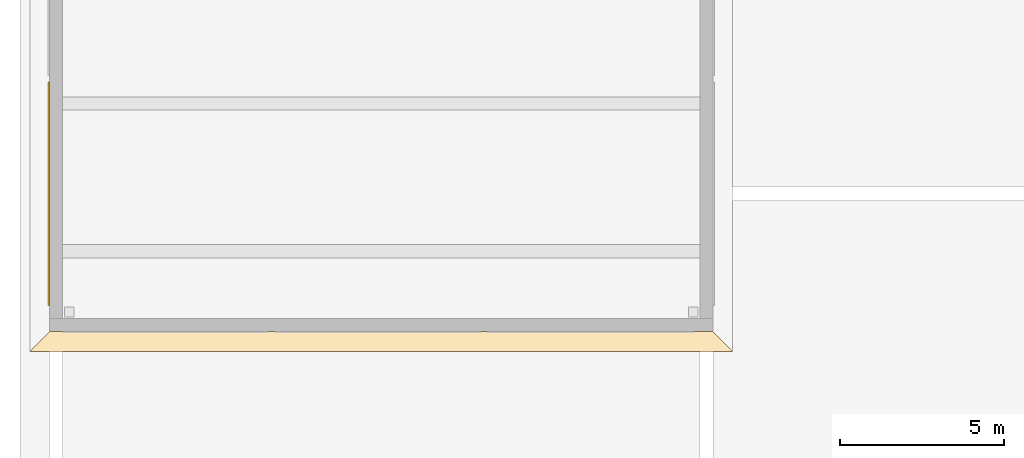
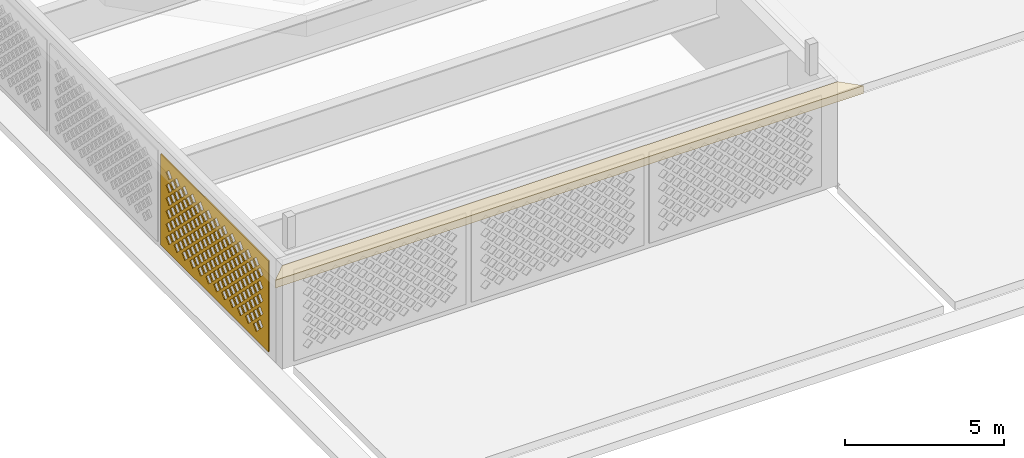
# One storey, part 19 of 63: 2 coverings.
"""IFC4 building model written with IfcOpenShell, lengths in metres."""

from ifc_helpers import new_model, si_unit, direction, frame, origin, place, context, subcontext, project, spatial, polyline, outline, extrude, material, layer, layer_set, type_object, element, save


model = new_model("IFC4")

# Units and contexts
model_context = context("Model", 3, precision=1e-05, world=origin(), true_north=direction((0.0, 1.0)))
body_context = subcontext(model_context, "Body", "Model", "MODEL_VIEW")
ifc_project = project(units=[si_unit("LENGTHUNIT", "METRE"), si_unit("AREAUNIT", "SQUARE_METRE"), si_unit("VOLUMEUNIT", "CUBIC_METRE"), si_unit("PLANEANGLEUNIT", "RADIAN"), si_unit("MASSUNIT", "GRAM", prefix="KILO")], contexts=[model_context])

# Site, building, storey
site_placement = place(None, origin())
site = spatial("IfcSite", under=ifc_project, at=site_placement, CompositionType="ELEMENT")
building_placement = place(site_placement, origin())
building = spatial("IfcBuilding", under=site, at=building_placement, Name="Noorbagh Ring Tower", CompositionType="ELEMENT")
storey_placement = place(building_placement, frame((0.0, 0.0, 25.0)))
storey = spatial("IfcBuildingStorey", under=building, at=storey_placement, Name="L04", CompositionType="ELEMENT", Elevation=25.0)

# Coverings
ifc_material_1 = material(Name="Red sandstone jali", Category="masonry")
ifc_layer = layer(ifc_material_1, 0.0400390625)
ifc_layer_set = layer_set([ifc_layer], Name="Red sandstone jali")
covering_type_1 = type_object("IfcCoveringType", Name="STH-BAND", PredefinedType="USERDEFINED", material=ifc_layer_set)
covering_1_placement = place(storey_placement, frame((-160.0400390625, -5.60009765625, 0.199951171875), z_axis=(-1.0, 0.0, 0.0), x_axis=(0.0, -1.0, 0.0)))
element("IfcCovering", 1, at=covering_1_placement, inside=storey, type_object=covering_type_1, Name="Jali band of the stage house", ObjectType="JALI SCREEN", PredefinedType="USERDEFINED", context=body_context, shape_type="SweptSolid", body=[
    extrude(outline(polyline([(0.0, 0.0), (6.7998046875, 0.0), (6.7998046875, 3.5), (0.0, 3.5), (0.0, 0.0)]), holes=[polyline([(0.344970703125, 0.5), (0.52490234375, 0.320068359375), (0.705078125, 0.5), (0.52490234375, 0.679931640625), (0.344970703125, 0.5)]), polyline([(0.844970703125, 0.5), (1.02490234375, 0.320068359375), (1.205078125, 0.5), (1.02490234375, 0.679931640625), (0.844970703125, 0.5)]), polyline([(1.344970703125, 0.5), (1.52490234375, 0.320068359375), (1.705078125, 0.5), (1.52490234375, 0.679931640625), (1.344970703125, 0.5)]), polyline([(1.844970703125, 0.5), (2.02490234375, 0.320068359375), (2.205078125, 0.5), (2.02490234375, 0.679931640625), (1.844970703125, 0.5)]), polyline([(2.344970703125, 0.5), (2.52490234375, 0.320068359375), (2.705078125, 0.5), (2.52490234375, 0.679931640625), (2.344970703125, 0.5)]), polyline([(2.844970703125, 0.5), (3.02490234375, 0.320068359375), (3.205078125, 0.5), (3.02490234375, 0.679931640625), (2.844970703125, 0.5)]), polyline([(3.344970703125, 0.5), (3.52490234375, 0.320068359375), (3.705078125, 0.5), (3.52490234375, 0.679931640625), (3.344970703125, 0.5)]), polyline([(3.844970703125, 0.5), (4.02490234375, 0.320068359375), (4.205078125, 0.5), (4.02490234375, 0.679931640625), (3.844970703125, 0.5)]), polyline([(4.344970703125, 0.5), (4.52490234375, 0.320068359375), (4.705078125, 0.5), (4.52490234375, 0.679931640625), (4.344970703125, 0.5)]), polyline([(4.844970703125, 0.5), (5.02490234375, 0.320068359375), (5.205078125, 0.5), (5.02490234375, 0.679931640625), (4.844970703125, 0.5)]), polyline([(5.344970703125, 0.5), (5.52490234375, 0.320068359375), (5.705078125, 0.5), (5.52490234375, 0.679931640625), (5.344970703125, 0.5)]), polyline([(5.844970703125, 0.5), (6.02490234375, 0.320068359375), (6.205078125, 0.5), (6.02490234375, 0.679931640625), (5.844970703125, 0.5)]), polyline([(0.594970703125, 0.75), (0.77490234375, 0.570068359375), (0.955078125, 0.75), (0.77490234375, 0.929931640625), (0.594970703125, 0.75)]), polyline([(1.094970703125, 0.75), (1.27490234375, 0.570068359375), (1.455078125, 0.75), (1.27490234375, 0.929931640625), (1.094970703125, 0.75)]), polyline([(1.594970703125, 0.75), (1.77490234375, 0.570068359375), (1.955078125, 0.75), (1.77490234375, 0.929931640625), (1.594970703125, 0.75)]), polyline([(2.094970703125, 0.75), (2.27490234375, 0.570068359375), (2.455078125, 0.75), (2.27490234375, 0.929931640625), (2.094970703125, 0.75)]), polyline([(2.594970703125, 0.75), (2.77490234375, 0.570068359375), (2.955078125, 0.75), (2.77490234375, 0.929931640625), (2.594970703125, 0.75)]), polyline([(3.094970703125, 0.75), (3.27490234375, 0.570068359375), (3.455078125, 0.75), (3.27490234375, 0.929931640625), (3.094970703125, 0.75)]), polyline([(3.594970703125, 0.75), (3.77490234375, 0.570068359375), (3.955078125, 0.75), (3.77490234375, 0.929931640625), (3.594970703125, 0.75)]), polyline([(4.094970703125, 0.75), (4.27490234375, 0.570068359375), (4.455078125, 0.75), (4.27490234375, 0.929931640625), (4.094970703125, 0.75)]), polyline([(4.594970703125, 0.75), (4.77490234375, 0.570068359375), (4.955078125, 0.75), (4.77490234375, 0.929931640625), (4.594970703125, 0.75)]), polyline([(5.094970703125, 0.75), (5.27490234375, 0.570068359375), (5.455078125, 0.75), (5.27490234375, 0.929931640625), (5.094970703125, 0.75)]), polyline([(5.594970703125, 0.75), (5.77490234375, 0.570068359375), (5.955078125, 0.75), (5.77490234375, 0.929931640625), (5.594970703125, 0.75)]), polyline([(6.094970703125, 0.75), (6.27490234375, 0.570068359375), (6.455078125, 0.75), (6.27490234375, 0.929931640625), (6.094970703125, 0.75)]), polyline([(0.344970703125, 1.0), (0.52490234375, 0.820068359375), (0.705078125, 1.0), (0.52490234375, 1.179931640625), (0.344970703125, 1.0)]), polyline([(0.844970703125, 1.0), (1.02490234375, 0.820068359375), (1.205078125, 1.0), (1.02490234375, 1.179931640625), (0.844970703125, 1.0)]), polyline([(1.344970703125, 1.0), (1.52490234375, 0.820068359375), (1.705078125, 1.0), (1.52490234375, 1.179931640625), (1.344970703125, 1.0)]), polyline([(1.844970703125, 1.0), (2.02490234375, 0.820068359375), (2.205078125, 1.0), (2.02490234375, 1.179931640625), (1.844970703125, 1.0)]), polyline([(2.344970703125, 1.0), (2.52490234375, 0.820068359375), (2.705078125, 1.0), (2.52490234375, 1.179931640625), (2.344970703125, 1.0)]), polyline([(2.844970703125, 1.0), (3.02490234375, 0.820068359375), (3.205078125, 1.0), (3.02490234375, 1.179931640625), (2.844970703125, 1.0)]), polyline([(3.344970703125, 1.0), (3.52490234375, 0.820068359375), (3.705078125, 1.0), (3.52490234375, 1.179931640625), (3.344970703125, 1.0)]), polyline([(3.844970703125, 1.0), (4.02490234375, 0.820068359375), (4.205078125, 1.0), (4.02490234375, 1.179931640625), (3.844970703125, 1.0)]), polyline([(4.344970703125, 1.0), (4.52490234375, 0.820068359375), (4.705078125, 1.0), (4.52490234375, 1.179931640625), (4.344970703125, 1.0)]), polyline([(4.844970703125, 1.0), (5.02490234375, 0.820068359375), (5.205078125, 1.0), (5.02490234375, 1.179931640625), (4.844970703125, 1.0)]), polyline([(5.344970703125, 1.0), (5.52490234375, 0.820068359375), (5.705078125, 1.0), (5.52490234375, 1.179931640625), (5.344970703125, 1.0)]), polyline([(5.844970703125, 1.0), (6.02490234375, 0.820068359375), (6.205078125, 1.0), (6.02490234375, 1.179931640625), (5.844970703125, 1.0)]), polyline([(0.594970703125, 1.25), (0.77490234375, 1.070068359375), (0.955078125, 1.25), (0.77490234375, 1.429931640625), (0.594970703125, 1.25)]), polyline([(1.094970703125, 1.25), (1.27490234375, 1.070068359375), (1.455078125, 1.25), (1.27490234375, 1.429931640625), (1.094970703125, 1.25)]), polyline([(1.594970703125, 1.25), (1.77490234375, 1.070068359375), (1.955078125, 1.25), (1.77490234375, 1.429931640625), (1.594970703125, 1.25)]), polyline([(2.094970703125, 1.25), (2.27490234375, 1.070068359375), (2.455078125, 1.25), (2.27490234375, 1.429931640625), (2.094970703125, 1.25)]), polyline([(2.594970703125, 1.25), (2.77490234375, 1.070068359375), (2.955078125, 1.25), (2.77490234375, 1.429931640625), (2.594970703125, 1.25)]), polyline([(3.094970703125, 1.25), (3.27490234375, 1.070068359375), (3.455078125, 1.25), (3.27490234375, 1.429931640625), (3.094970703125, 1.25)]), polyline([(3.594970703125, 1.25), (3.77490234375, 1.070068359375), (3.955078125, 1.25), (3.77490234375, 1.429931640625), (3.594970703125, 1.25)]), polyline([(4.094970703125, 1.25), (4.27490234375, 1.070068359375), (4.455078125, 1.25), (4.27490234375, 1.429931640625), (4.094970703125, 1.25)]), polyline([(4.594970703125, 1.25), (4.77490234375, 1.070068359375), (4.955078125, 1.25), (4.77490234375, 1.429931640625), (4.594970703125, 1.25)]), polyline([(5.094970703125, 1.25), (5.27490234375, 1.070068359375), (5.455078125, 1.25), (5.27490234375, 1.429931640625), (5.094970703125, 1.25)]), polyline([(5.594970703125, 1.25), (5.77490234375, 1.070068359375), (5.955078125, 1.25), (5.77490234375, 1.429931640625), (5.594970703125, 1.25)]), polyline([(6.094970703125, 1.25), (6.27490234375, 1.070068359375), (6.455078125, 1.25), (6.27490234375, 1.429931640625), (6.094970703125, 1.25)]), polyline([(0.344970703125, 1.5), (0.52490234375, 1.320068359375), (0.705078125, 1.5), (0.52490234375, 1.679931640625), (0.344970703125, 1.5)]), polyline([(0.844970703125, 1.5), (1.02490234375, 1.320068359375), (1.205078125, 1.5), (1.02490234375, 1.679931640625), (0.844970703125, 1.5)]), polyline([(1.344970703125, 1.5), (1.52490234375, 1.320068359375), (1.705078125, 1.5), (1.52490234375, 1.679931640625), (1.344970703125, 1.5)]), polyline([(1.844970703125, 1.5), (2.02490234375, 1.320068359375), (2.205078125, 1.5), (2.02490234375, 1.679931640625), (1.844970703125, 1.5)]), polyline([(2.344970703125, 1.5), (2.52490234375, 1.320068359375), (2.705078125, 1.5), (2.52490234375, 1.679931640625), (2.344970703125, 1.5)]), polyline([(2.844970703125, 1.5), (3.02490234375, 1.320068359375), (3.205078125, 1.5), (3.02490234375, 1.679931640625), (2.844970703125, 1.5)]), polyline([(3.344970703125, 1.5), (3.52490234375, 1.320068359375), (3.705078125, 1.5), (3.52490234375, 1.679931640625), (3.344970703125, 1.5)]), polyline([(3.844970703125, 1.5), (4.02490234375, 1.320068359375), (4.205078125, 1.5), (4.02490234375, 1.679931640625), (3.844970703125, 1.5)]), polyline([(4.344970703125, 1.5), (4.52490234375, 1.320068359375), (4.705078125, 1.5), (4.52490234375, 1.679931640625), (4.344970703125, 1.5)]), polyline([(4.844970703125, 1.5), (5.02490234375, 1.320068359375), (5.205078125, 1.5), (5.02490234375, 1.679931640625), (4.844970703125, 1.5)]), polyline([(5.344970703125, 1.5), (5.52490234375, 1.320068359375), (5.705078125, 1.5), (5.52490234375, 1.679931640625), (5.344970703125, 1.5)]), polyline([(5.844970703125, 1.5), (6.02490234375, 1.320068359375), (6.205078125, 1.5), (6.02490234375, 1.679931640625), (5.844970703125, 1.5)]), polyline([(0.594970703125, 1.75), (0.77490234375, 1.570068359375), (0.955078125, 1.75), (0.77490234375, 1.929931640625), (0.594970703125, 1.75)]), polyline([(1.094970703125, 1.75), (1.27490234375, 1.570068359375), (1.455078125, 1.75), (1.27490234375, 1.929931640625), (1.094970703125, 1.75)]), polyline([(1.594970703125, 1.75), (1.77490234375, 1.570068359375), (1.955078125, 1.75), (1.77490234375, 1.929931640625), (1.594970703125, 1.75)]), polyline([(2.094970703125, 1.75), (2.27490234375, 1.570068359375), (2.455078125, 1.75), (2.27490234375, 1.929931640625), (2.094970703125, 1.75)]), polyline([(2.594970703125, 1.75), (2.77490234375, 1.570068359375), (2.955078125, 1.75), (2.77490234375, 1.929931640625), (2.594970703125, 1.75)]), polyline([(3.094970703125, 1.75), (3.27490234375, 1.570068359375), (3.455078125, 1.75), (3.27490234375, 1.929931640625), (3.094970703125, 1.75)]), polyline([(3.594970703125, 1.75), (3.77490234375, 1.570068359375), (3.955078125, 1.75), (3.77490234375, 1.929931640625), (3.594970703125, 1.75)]), polyline([(4.094970703125, 1.75), (4.27490234375, 1.570068359375), (4.455078125, 1.75), (4.27490234375, 1.929931640625), (4.094970703125, 1.75)]), polyline([(4.594970703125, 1.75), (4.77490234375, 1.570068359375), (4.955078125, 1.75), (4.77490234375, 1.929931640625), (4.594970703125, 1.75)]), polyline([(5.094970703125, 1.75), (5.27490234375, 1.570068359375), (5.455078125, 1.75), (5.27490234375, 1.929931640625), (5.094970703125, 1.75)]), polyline([(5.594970703125, 1.75), (5.77490234375, 1.570068359375), (5.955078125, 1.75), (5.77490234375, 1.929931640625), (5.594970703125, 1.75)]), polyline([(6.094970703125, 1.75), (6.27490234375, 1.570068359375), (6.455078125, 1.75), (6.27490234375, 1.929931640625), (6.094970703125, 1.75)]), polyline([(0.344970703125, 2.0), (0.52490234375, 1.820068359375), (0.705078125, 2.0), (0.52490234375, 2.179931640625), (0.344970703125, 2.0)]), polyline([(0.844970703125, 2.0), (1.02490234375, 1.820068359375), (1.205078125, 2.0), (1.02490234375, 2.179931640625), (0.844970703125, 2.0)]), polyline([(1.344970703125, 2.0), (1.52490234375, 1.820068359375), (1.705078125, 2.0), (1.52490234375, 2.179931640625), (1.344970703125, 2.0)]), polyline([(1.844970703125, 2.0), (2.02490234375, 1.820068359375), (2.205078125, 2.0), (2.02490234375, 2.179931640625), (1.844970703125, 2.0)]), polyline([(2.344970703125, 2.0), (2.52490234375, 1.820068359375), (2.705078125, 2.0), (2.52490234375, 2.179931640625), (2.344970703125, 2.0)]), polyline([(2.844970703125, 2.0), (3.02490234375, 1.820068359375), (3.205078125, 2.0), (3.02490234375, 2.179931640625), (2.844970703125, 2.0)]), polyline([(3.344970703125, 2.0), (3.52490234375, 1.820068359375), (3.705078125, 2.0), (3.52490234375, 2.179931640625), (3.344970703125, 2.0)]), polyline([(3.844970703125, 2.0), (4.02490234375, 1.820068359375), (4.205078125, 2.0), (4.02490234375, 2.179931640625), (3.844970703125, 2.0)]), polyline([(4.344970703125, 2.0), (4.52490234375, 1.820068359375), (4.705078125, 2.0), (4.52490234375, 2.179931640625), (4.344970703125, 2.0)]), polyline([(4.844970703125, 2.0), (5.02490234375, 1.820068359375), (5.205078125, 2.0), (5.02490234375, 2.179931640625), (4.844970703125, 2.0)]), polyline([(5.344970703125, 2.0), (5.52490234375, 1.820068359375), (5.705078125, 2.0), (5.52490234375, 2.179931640625), (5.344970703125, 2.0)]), polyline([(5.844970703125, 2.0), (6.02490234375, 1.820068359375), (6.205078125, 2.0), (6.02490234375, 2.179931640625), (5.844970703125, 2.0)]), polyline([(0.594970703125, 2.25), (0.77490234375, 2.070068359375), (0.955078125, 2.25), (0.77490234375, 2.429931640625), (0.594970703125, 2.25)]), polyline([(1.094970703125, 2.25), (1.27490234375, 2.070068359375), (1.455078125, 2.25), (1.27490234375, 2.429931640625), (1.094970703125, 2.25)]), polyline([(1.594970703125, 2.25), (1.77490234375, 2.070068359375), (1.955078125, 2.25), (1.77490234375, 2.429931640625), (1.594970703125, 2.25)]), polyline([(2.094970703125, 2.25), (2.27490234375, 2.070068359375), (2.455078125, 2.25), (2.27490234375, 2.429931640625), (2.094970703125, 2.25)]), polyline([(2.594970703125, 2.25), (2.77490234375, 2.070068359375), (2.955078125, 2.25), (2.77490234375, 2.429931640625), (2.594970703125, 2.25)]), polyline([(3.094970703125, 2.25), (3.27490234375, 2.070068359375), (3.455078125, 2.25), (3.27490234375, 2.429931640625), (3.094970703125, 2.25)]), polyline([(3.594970703125, 2.25), (3.77490234375, 2.070068359375), (3.955078125, 2.25), (3.77490234375, 2.429931640625), (3.594970703125, 2.25)]), polyline([(4.094970703125, 2.25), (4.27490234375, 2.070068359375), (4.455078125, 2.25), (4.27490234375, 2.429931640625), (4.094970703125, 2.25)]), polyline([(4.594970703125, 2.25), (4.77490234375, 2.070068359375), (4.955078125, 2.25), (4.77490234375, 2.429931640625), (4.594970703125, 2.25)]), polyline([(5.094970703125, 2.25), (5.27490234375, 2.070068359375), (5.455078125, 2.25), (5.27490234375, 2.429931640625), (5.094970703125, 2.25)]), polyline([(5.594970703125, 2.25), (5.77490234375, 2.070068359375), (5.955078125, 2.25), (5.77490234375, 2.429931640625), (5.594970703125, 2.25)]), polyline([(6.094970703125, 2.25), (6.27490234375, 2.070068359375), (6.455078125, 2.25), (6.27490234375, 2.429931640625), (6.094970703125, 2.25)]), polyline([(0.344970703125, 2.5), (0.52490234375, 2.320068359375), (0.705078125, 2.5), (0.52490234375, 2.679931640625), (0.344970703125, 2.5)]), polyline([(0.844970703125, 2.5), (1.02490234375, 2.320068359375), (1.205078125, 2.5), (1.02490234375, 2.679931640625), (0.844970703125, 2.5)]), polyline([(1.344970703125, 2.5), (1.52490234375, 2.320068359375), (1.705078125, 2.5), (1.52490234375, 2.679931640625), (1.344970703125, 2.5)]), polyline([(1.844970703125, 2.5), (2.02490234375, 2.320068359375), (2.205078125, 2.5), (2.02490234375, 2.679931640625), (1.844970703125, 2.5)]), polyline([(2.344970703125, 2.5), (2.52490234375, 2.320068359375), (2.705078125, 2.5), (2.52490234375, 2.679931640625), (2.344970703125, 2.5)]), polyline([(2.844970703125, 2.5), (3.02490234375, 2.320068359375), (3.205078125, 2.5), (3.02490234375, 2.679931640625), (2.844970703125, 2.5)]), polyline([(3.344970703125, 2.5), (3.52490234375, 2.320068359375), (3.705078125, 2.5), (3.52490234375, 2.679931640625), (3.344970703125, 2.5)]), polyline([(3.844970703125, 2.5), (4.02490234375, 2.320068359375), (4.205078125, 2.5), (4.02490234375, 2.679931640625), (3.844970703125, 2.5)]), polyline([(4.344970703125, 2.5), (4.52490234375, 2.320068359375), (4.705078125, 2.5), (4.52490234375, 2.679931640625), (4.344970703125, 2.5)]), polyline([(4.844970703125, 2.5), (5.02490234375, 2.320068359375), (5.205078125, 2.5), (5.02490234375, 2.679931640625), (4.844970703125, 2.5)]), polyline([(5.344970703125, 2.5), (5.52490234375, 2.320068359375), (5.705078125, 2.5), (5.52490234375, 2.679931640625), (5.344970703125, 2.5)]), polyline([(5.844970703125, 2.5), (6.02490234375, 2.320068359375), (6.205078125, 2.5), (6.02490234375, 2.679931640625), (5.844970703125, 2.5)]), polyline([(0.594970703125, 2.75), (0.77490234375, 2.570068359375), (0.955078125, 2.75), (0.77490234375, 2.929931640625), (0.594970703125, 2.75)]), polyline([(1.094970703125, 2.75), (1.27490234375, 2.570068359375), (1.455078125, 2.75), (1.27490234375, 2.929931640625), (1.094970703125, 2.75)]), polyline([(1.594970703125, 2.75), (1.77490234375, 2.570068359375), (1.955078125, 2.75), (1.77490234375, 2.929931640625), (1.594970703125, 2.75)]), polyline([(2.094970703125, 2.75), (2.27490234375, 2.570068359375), (2.455078125, 2.75), (2.27490234375, 2.929931640625), (2.094970703125, 2.75)]), polyline([(2.594970703125, 2.75), (2.77490234375, 2.570068359375), (2.955078125, 2.75), (2.77490234375, 2.929931640625), (2.594970703125, 2.75)]), polyline([(3.094970703125, 2.75), (3.27490234375, 2.570068359375), (3.455078125, 2.75), (3.27490234375, 2.929931640625), (3.094970703125, 2.75)]), polyline([(3.594970703125, 2.75), (3.77490234375, 2.570068359375), (3.955078125, 2.75), (3.77490234375, 2.929931640625), (3.594970703125, 2.75)]), polyline([(4.094970703125, 2.75), (4.27490234375, 2.570068359375), (4.455078125, 2.75), (4.27490234375, 2.929931640625), (4.094970703125, 2.75)]), polyline([(4.594970703125, 2.75), (4.77490234375, 2.570068359375), (4.955078125, 2.75), (4.77490234375, 2.929931640625), (4.594970703125, 2.75)]), polyline([(5.094970703125, 2.75), (5.27490234375, 2.570068359375), (5.455078125, 2.75), (5.27490234375, 2.929931640625), (5.094970703125, 2.75)]), polyline([(5.594970703125, 2.75), (5.77490234375, 2.570068359375), (5.955078125, 2.75), (5.77490234375, 2.929931640625), (5.594970703125, 2.75)]), polyline([(6.094970703125, 2.75), (6.27490234375, 2.570068359375), (6.455078125, 2.75), (6.27490234375, 2.929931640625), (6.094970703125, 2.75)]), polyline([(0.344970703125, 3.0), (0.52490234375, 2.820068359375), (0.705078125, 3.0), (0.52490234375, 3.179931640625), (0.344970703125, 3.0)]), polyline([(0.844970703125, 3.0), (1.02490234375, 2.820068359375), (1.205078125, 3.0), (1.02490234375, 3.179931640625), (0.844970703125, 3.0)]), polyline([(1.344970703125, 3.0), (1.52490234375, 2.820068359375), (1.705078125, 3.0), (1.52490234375, 3.179931640625), (1.344970703125, 3.0)]), polyline([(1.844970703125, 3.0), (2.02490234375, 2.820068359375), (2.205078125, 3.0), (2.02490234375, 3.179931640625), (1.844970703125, 3.0)]), polyline([(2.344970703125, 3.0), (2.52490234375, 2.820068359375), (2.705078125, 3.0), (2.52490234375, 3.179931640625), (2.344970703125, 3.0)]), polyline([(2.844970703125, 3.0), (3.02490234375, 2.820068359375), (3.205078125, 3.0), (3.02490234375, 3.179931640625), (2.844970703125, 3.0)]), polyline([(3.344970703125, 3.0), (3.52490234375, 2.820068359375), (3.705078125, 3.0), (3.52490234375, 3.179931640625), (3.344970703125, 3.0)]), polyline([(3.844970703125, 3.0), (4.02490234375, 2.820068359375), (4.205078125, 3.0), (4.02490234375, 3.179931640625), (3.844970703125, 3.0)]), polyline([(4.344970703125, 3.0), (4.52490234375, 2.820068359375), (4.705078125, 3.0), (4.52490234375, 3.179931640625), (4.344970703125, 3.0)]), polyline([(4.844970703125, 3.0), (5.02490234375, 2.820068359375), (5.205078125, 3.0), (5.02490234375, 3.179931640625), (4.844970703125, 3.0)]), polyline([(5.344970703125, 3.0), (5.52490234375, 2.820068359375), (5.705078125, 3.0), (5.52490234375, 3.179931640625), (5.344970703125, 3.0)]), polyline([(5.844970703125, 3.0), (6.02490234375, 2.820068359375), (6.205078125, 3.0), (6.02490234375, 3.179931640625), (5.844970703125, 3.0)])]), origin(), (0.0, 0.0, -1.0), 0.0400390625),
])
ifc_material_2 = material(Name="Red sandstone eave", Category="masonry")
covering_type_2 = type_object("IfcCoveringType", Name="STH-CHHAJJA", PredefinedType="USERDEFINED", material=ifc_material_2)
covering_2_placement = place(storey_placement, frame((0.0, 0.0, 3.699951171875)))
element("IfcCovering", 2, at=covering_2_placement, inside=storey, type_object=covering_type_2, Name="Cornice of the stage house", ObjectType="CHHAJJA", PredefinedType="USERDEFINED", context=body_context, shape_type="SweptSolid", body=[
    extrude(outline(polyline([(-160.0, -13.199951171875), (-139.800048828125, -13.199951171875), (-139.199951171875, -13.800048828125), (-160.60009765625, -13.800048828125), (-160.0, -13.199951171875)])), origin(), (0.0, 0.0, 1.0), 0.300048828125),
])

save(model, "model.ifc")
